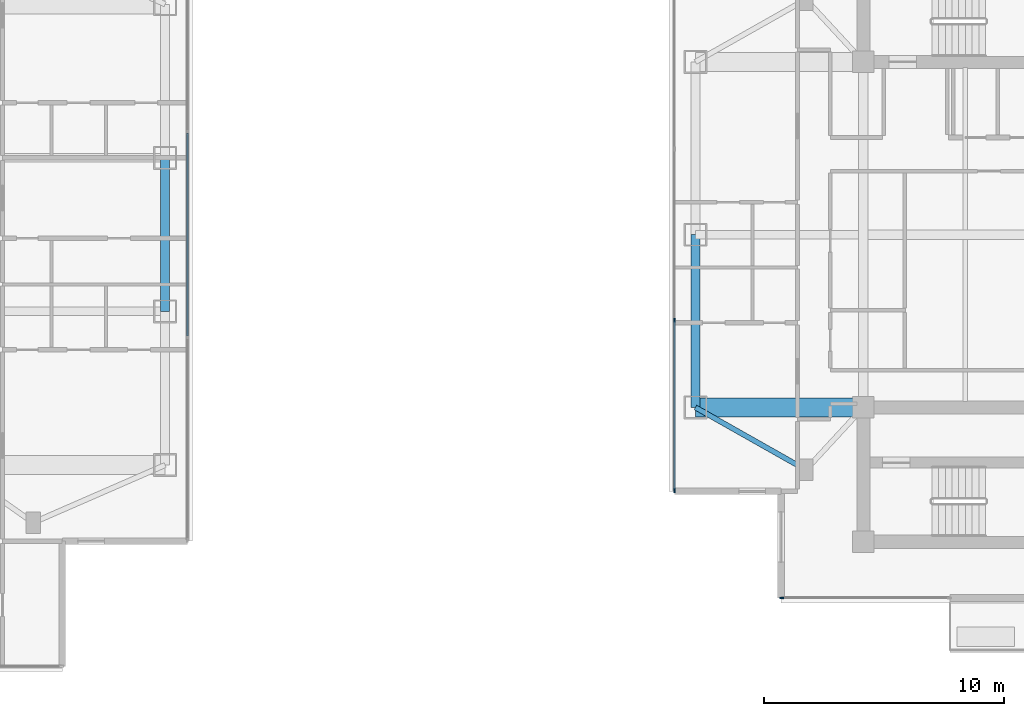
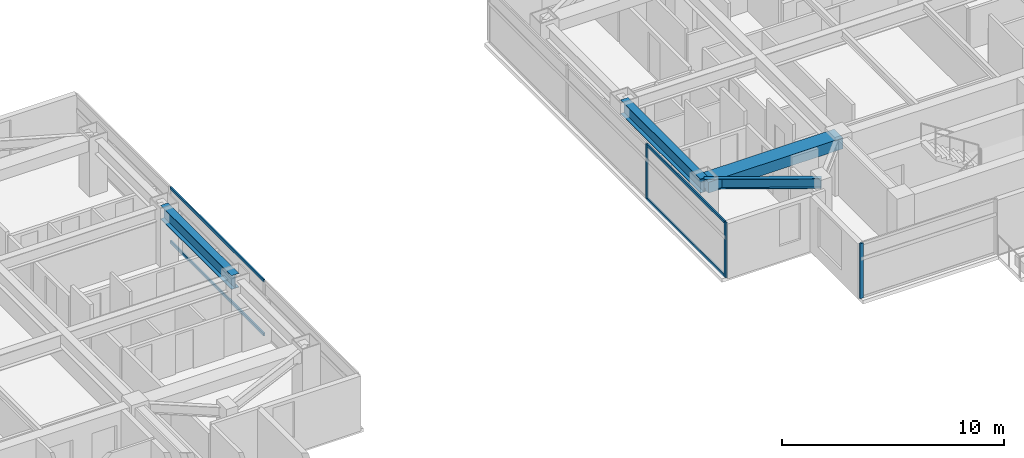
# One storey, part 5 of 23: 7 members, 4 beams, 3 elements without a shape of their own.
"""IFC4 building model written with IfcOpenShell, lengths in metres."""

from ifc_helpers import new_model, si_unit, direction, frame, origin, origin_2d, place, context, subcontext, project, spatial, rectangle, i_section, extrude, material, material_profile, profile_set, type_object, element, aggregate, save


model = new_model("IFC4")

# Units and contexts
model_context = context("Model", 3, precision=1e-05, world=origin(), true_north=direction((0.0, 1.0)))
body_context = subcontext(model_context, "Body", "Model", "MODEL_VIEW")
ifc_project = project(units=[si_unit("LENGTHUNIT", "METRE"), si_unit("AREAUNIT", "SQUARE_METRE"), si_unit("VOLUMEUNIT", "CUBIC_METRE"), si_unit("PLANEANGLEUNIT", "RADIAN"), si_unit("MASSUNIT", "GRAM", prefix="KILO")], contexts=[model_context])

# Site, building, storey
site_placement = place(None, origin())
site = spatial("IfcSite", under=ifc_project, at=site_placement, CompositionType="ELEMENT")
building_placement = place(site_placement, origin())
building = spatial("IfcBuilding", under=site, at=building_placement, Name="Mirazonda Arch Towers", CompositionType="ELEMENT")
storey_placement = place(building_placement, frame((0.0, 0.0, 183.64990234375)))
storey = spatial("IfcBuildingStorey", under=building, at=storey_placement, Name="L52", CompositionType="ELEMENT", Elevation=183.64990234375)

# Beams
ifc_material_1 = material(Name="Steel ASTM A992 Grade 50", Category="steel")
ifc_material_profile_1 = material_profile(ifc_material_1, i_section(OverallWidth=0.381103515625, OverallDepth=0.77294921875, WebThickness=0.0166015625, FlangeThickness=0.027099609375, at=origin_2d()), Name="W30X173")
ifc_profile_set_1 = profile_set([ifc_material_profile_1], Name="Steel ASTM A992 Grade 50")
beam_type_1 = type_object("IfcBeamType", Name="BM-EXT-W30X173", PredefinedType="USERDEFINED", material=ifc_profile_set_1)
beam_1_placement = place(storey_placement, frame((38.89990234375, 24.800048828125, 2.66357421875), z_axis=(0.0, 1.0, 0.0), x_axis=(-1.0, 0.0, 0.0)))
element("IfcBeam", 1, at=beam_1_placement, inside=storey, type_object=beam_type_1, Name="L52 Floor Beam BM-T1-L52-NS-E-24", ObjectType="GIRDER", PredefinedType="USERDEFINED", context=body_context, shape_type="SweptSolid", body=[
    extrude(i_section(OverallWidth=0.381103515625, OverallDepth=0.77294921875, WebThickness=0.0166015625, FlangeThickness=0.027099609375, at=origin_2d()), origin(), (0.0, 0.0, 1.0), 6.39990234375),
])
beam_2_placement = place(storey_placement, frame((61.0, 20.800048828125, 2.66357421875), z_axis=(0.0, 1.0, 0.0), x_axis=(-1.0, 0.0, 0.0)))
element("IfcBeam", 2, at=beam_2_placement, inside=storey, type_object=beam_type_1, Name="L52 Floor Beam BM-T2-L52-NS-W-20", ObjectType="GIRDER", PredefinedType="USERDEFINED", context=body_context, shape_type="SweptSolid", body=[
    extrude(i_section(OverallWidth=0.381103515625, OverallDepth=0.77294921875, WebThickness=0.0166015625, FlangeThickness=0.027099609375, at=origin_2d()), origin(), (0.0, 0.0, 1.0), 7.199951171875),
])
ifc_material_profile_2 = material_profile(ifc_material_1, i_section(OverallWidth=0.214111328125, OverallDepth=0.549072265625, WebThickness=0.0146484375, FlangeThickness=0.023681640625, at=origin_2d()), Name="W21X93")
ifc_profile_set_2 = profile_set([ifc_material_profile_2], Name="Steel ASTM A992 Grade 50")
beam_type_2 = type_object("IfcBeamType", Name="BM-INT-W21X93", PredefinedType="BEAM", material=ifc_profile_set_2)
beam_3_placement = place(storey_placement, frame((65.60009765625, 18.199951171875, 2.775634765625), z_axis=(-0.870559396632, 0.492063346467, 0.0), x_axis=(-0.492063346467, -0.870559396632, 0.0)))
element("IfcBeam", 3, at=beam_3_placement, inside=storey, type_object=beam_type_2, Name="L52 Floor Beam BM-T2-L52-PL-SW2", PredefinedType="BEAM", context=body_context, shape_type="SweptSolid", body=[
    extrude(i_section(OverallWidth=0.214111328125, OverallDepth=0.549072265625, WebThickness=0.0146484375, FlangeThickness=0.023681640625, at=origin_2d()), origin(), (0.0, 0.0, 1.0), 5.2841796875),
])
ifc_material_2 = material(Name="Concrete C60/75", Category="concrete")
ifc_material_profile_3 = material_profile(ifc_material_2, rectangle(XDim=0.800048828125, YDim=0.60009765625, at=origin_2d()), Name="RCCB800x600")
ifc_profile_set_3 = profile_set([ifc_material_profile_3], Name="Concrete C60/75")
beam_type_3 = type_object("IfcBeamType", Name="CB-INT-RCCB800x600", PredefinedType="SPANDREL", material=ifc_profile_set_3)
beam_4_placement = place(storey_placement, frame((61.0, 20.800048828125, 2.75), z_axis=(1.0, 0.0, 0.0), x_axis=(0.0, 1.0, 0.0)))
element("IfcBeam", 4, at=beam_4_placement, inside=storey, type_object=beam_type_3, Name="L52 Floor Beam CBC-T2-L52-SW", PredefinedType="SPANDREL", context=body_context, shape_type="SweptSolid", body=[
    extrude(rectangle(XDim=0.800048828125, YDim=0.60009765625, at=origin_2d()), origin(), (0.0, 0.0, 1.0), 7.0),
])

# Curtain wall, member
ifc_material_3 = material(Name="Anodised Aluminium and Low-E Glass", Category="aluminium")
curtain_wall_type = type_object("IfcCurtainWallType", Name="CW-RES-UNIT", PredefinedType="NOTDEFINED", material=ifc_material_3)
curtain_wall_1_placement = place(storey_placement, origin())
curtain_wall_1 = element("IfcCurtainWall", 5, at=curtain_wall_1_placement, inside=storey, type_object=curtain_wall_type, Name="L52 Curtain Wall CW-L52-T2-SB", PredefinedType="NOTDEFINED")
ifc_material_4 = material(Name="Anodised Aluminium Alloy", Category="aluminium")
ifc_material_profile_4 = material_profile(ifc_material_4, rectangle(XDim=0.074951171875, YDim=0.175048828125, at=origin_2d()), Name="ALU-MULL-75x175")
ifc_profile_set_4 = profile_set([ifc_material_profile_4], Name="Anodised Aluminium Alloy")
member_type_1 = type_object("IfcMemberType", Name="MULL-CW-RES-UNIT", PredefinedType="MULLION", material=ifc_profile_set_4)
member_1_placement = place(storey_placement, frame((64.599609375, 12.861572265625, 0.0), z_axis=(0.0, 0.0, 1.0), x_axis=(0.0, -1.0, 0.0)))
member_1 = element("IfcMember", 6, at=member_1_placement, type_object=member_type_1, Name="CW-104 mullion 2", PredefinedType="MULLION", context=body_context, shape_type="SweptSolid", body=[
    extrude(rectangle(XDim=0.074951171875, YDim=0.175048828125, at=origin_2d()), origin(), (0.0, 0.0, 1.0), 3.030029296875),
])
aggregate(curtain_wall_1, [member_1])

# Curtain wall, members
curtain_wall_2_placement = place(storey_placement, origin())
curtain_wall_2 = element("IfcCurtainWall", 7, at=curtain_wall_2_placement, inside=storey, type_object=curtain_wall_type, Name="L52 T2 W Facade CW-L52-T2-W", PredefinedType="NOTDEFINED")
member_2_placement = place(storey_placement, frame((60.12255859375, 24.433837890625, 0.0), z_axis=(0.0, 0.0, 1.0), x_axis=(1.0, 0.0, 0.0)))
member_2 = element("IfcMember", 8, at=member_2_placement, type_object=member_type_1, Name="CW-104 mullion 3", PredefinedType="MULLION", context=body_context, shape_type="SweptSolid", body=[
    extrude(rectangle(XDim=0.074951171875, YDim=0.175048828125, at=origin_2d()), origin(), (0.0, 0.0, 1.0), 3.030029296875),
])
member_3_placement = place(storey_placement, frame((60.12255859375, 17.338623046875, 0.0), z_axis=(0.0, 0.0, 1.0), x_axis=(1.0, 0.0, 0.0)))
member_3 = element("IfcMember", 9, at=member_3_placement, type_object=member_type_1, Name="CW-104 mullion 4", PredefinedType="MULLION", context=body_context, shape_type="SweptSolid", body=[
    extrude(rectangle(XDim=0.074951171875, YDim=0.175048828125, at=origin_2d()), origin(), (0.0, 0.0, 1.0), 3.030029296875),
])

curtain_wall_3_placement = place(storey_placement, origin())
curtain_wall_3 = element("IfcCurtainWall", 10, at=curtain_wall_3_placement, inside=storey, type_object=curtain_wall_type, Name="L52 T1 E Facade CW-L52-T1-E", PredefinedType="NOTDEFINED")
ifc_material_profile_5 = material_profile(ifc_material_4, rectangle(XDim=0.074951171875, YDim=0.155029296875, at=origin_2d()), Name="ALU-TRAN-75x155")
ifc_profile_set_5 = profile_set([ifc_material_profile_5], Name="Anodised Aluminium Alloy")
member_type_2 = type_object("IfcMemberType", Name="TRAN-CW-RES-UNIT", PredefinedType="USERDEFINED", material=ifc_profile_set_5)
member_4_placement = place(storey_placement, frame((39.830078125, 23.779052734375, 0.03759765625), z_axis=(0.0, 1.0, 0.0), x_axis=(-1.0, 0.0, 0.0)))
member_4 = element("IfcMember", 11, at=member_4_placement, type_object=member_type_2, Name="CW-104 transom 2.1", ObjectType="TRANSOM", PredefinedType="USERDEFINED", context=body_context, shape_type="SweptSolid", body=[
    extrude(rectangle(XDim=0.074951171875, YDim=0.155029296875, at=origin_2d()), origin(), (0.0, 0.0, 1.0), 8.44189453125),
])
member_5_placement = place(storey_placement, frame((39.830078125, 23.779052734375, 2.99267578125), z_axis=(0.0, 1.0, 0.0), x_axis=(-1.0, 0.0, 0.0)))
member_5 = element("IfcMember", 12, at=member_5_placement, type_object=member_type_2, Name="CW-104 transom 2.2", ObjectType="TRANSOM", PredefinedType="USERDEFINED", context=body_context, shape_type="SweptSolid", body=[
    extrude(rectangle(XDim=0.074951171875, YDim=0.155029296875, at=origin_2d()), origin(), (0.0, 0.0, 1.0), 8.44189453125),
])
aggregate(curtain_wall_3, [member_4, member_5])

# Member
member_6_placement = place(storey_placement, frame((60.12255859375, 24.396240234375, 0.03759765625), z_axis=(0.0, -1.0, 0.0), x_axis=(1.0, 0.0, 0.0)))
member_6 = element("IfcMember", 13, at=member_6_placement, type_object=member_type_2, Name="CW-104 transom 3.1", ObjectType="TRANSOM", PredefinedType="USERDEFINED", context=body_context, shape_type="SweptSolid", body=[
    extrude(rectangle(XDim=0.074951171875, YDim=0.155029296875, at=origin_2d()), origin(), (0.0, 0.0, 1.0), 7.02001953125),
])

member_7_placement = place(storey_placement, frame((60.12255859375, 24.396240234375, 2.99267578125), z_axis=(0.0, -1.0, 0.0), x_axis=(1.0, 0.0, 0.0)))
member_7 = element("IfcMember", 14, at=member_7_placement, type_object=member_type_2, Name="CW-104 transom 3.2", ObjectType="TRANSOM", PredefinedType="USERDEFINED", context=body_context, shape_type="SweptSolid", body=[
    extrude(rectangle(XDim=0.074951171875, YDim=0.155029296875, at=origin_2d()), origin(), (0.0, 0.0, 1.0), 7.02001953125),
])

aggregate(curtain_wall_2, [member_2, member_3, member_6, member_7])

save(model, "model.ifc")
